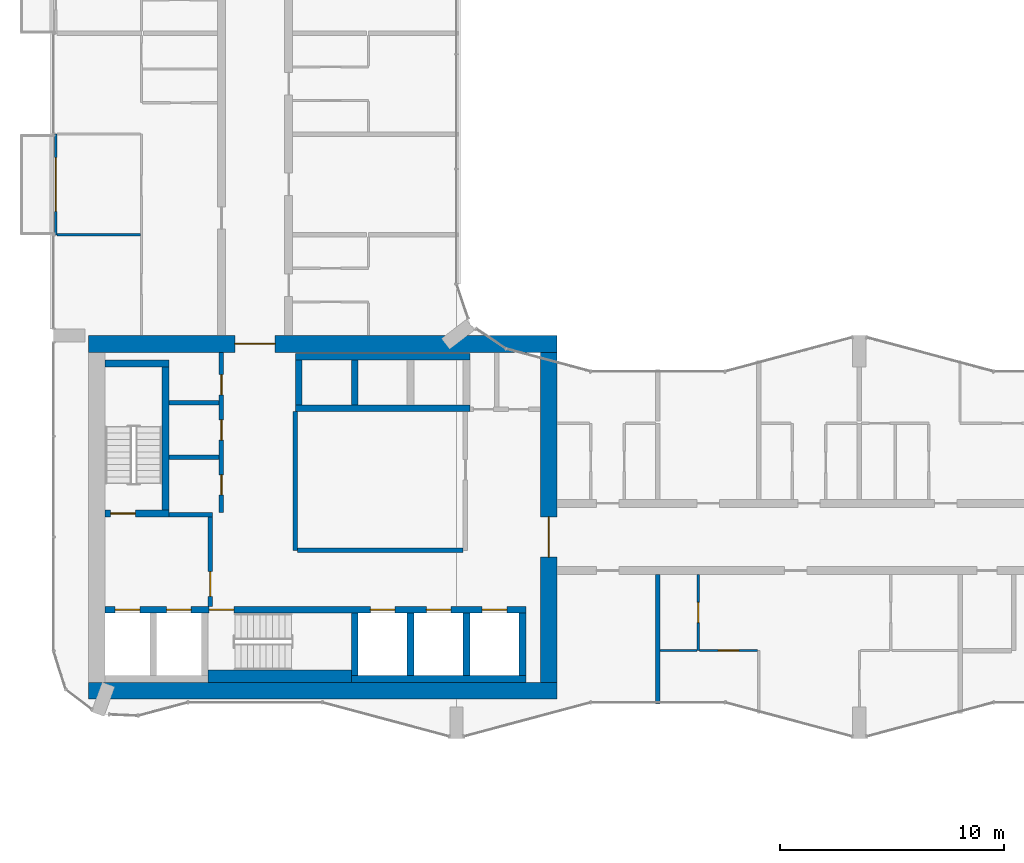
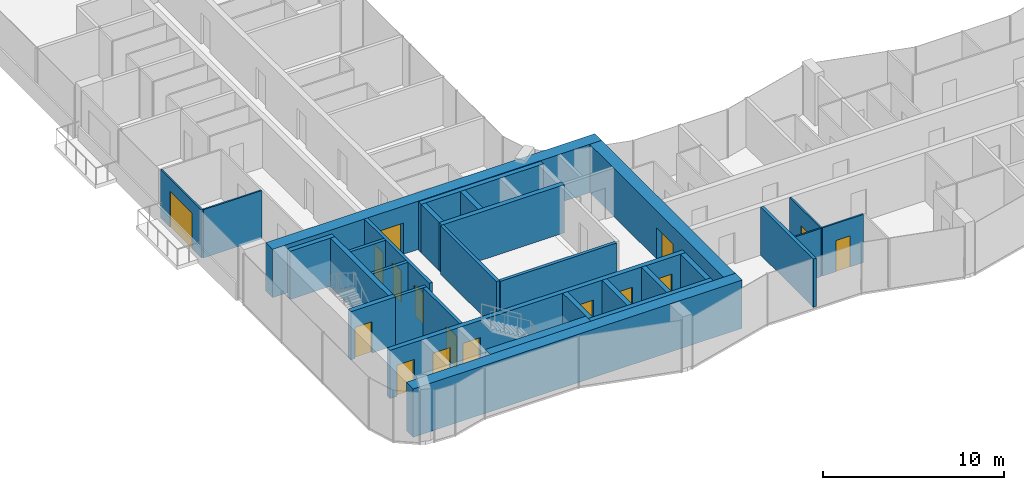
# One storey, part 14 of 24: 30 walls, 16 doors, 16 openings.
"""IFC4 building model written with IfcOpenShell, lengths in metres."""

import ifcopenshell
import ifcopenshell.guid

model = None  # the IFC model being written
_history = None  # IfcOwnerHistory: only IFC2X3 demands one
_inside = {}  # id of a spatial element -> (the spatial element, [elements in it])
_under = {}  # id of a project, library or spatial element -> (it, [spatial elements below it])
_declared = {}  # id of a project -> (the project, [libraries it declares])
_typed = {}  # id of a type object -> (the type object, [elements of that type])
_made_of = {}  # id of a material, layer set ... -> (it, [elements and type objects made of it])


def new_model(schema):
    """Start an empty IFC model of exactly this schema.

    Asked for "IFC4X3", IfcOpenShell would pick the latest addendum, in which some entities
    have other attributes; the version numbers below select the first issue.
    IFC2X3 requires an IfcOwnerHistory on every rooted entity: one is made here for all.
    """
    global model, _history
    if schema == "IFC4X3":
        model = ifcopenshell.file(schema_version=(4, 3, 0, 0))
    else:
        model = ifcopenshell.file(schema=schema)
    _inside.clear()
    _under.clear()
    _declared.clear()
    _typed.clear()
    _made_of.clear()
    _history = None
    if model.schema == "IFC2X3":
        org = make("IfcOrganization", Name="unknown")
        user = make(
            "IfcPersonAndOrganization",
            ThePerson=make("IfcPerson", FamilyName="unknown"),
            TheOrganization=org,
        )
        app = make(
            "IfcApplication",
            ApplicationDeveloper=org,
            Version="unknown",
            ApplicationFullName="unknown",
            ApplicationIdentifier="unknown",
        )
        _history = make(
            "IfcOwnerHistory",
            OwningUser=user,
            OwningApplication=app,
            ChangeAction="ADDED",
            CreationDate=0,
        )
    return model


def make(cls, **values):
    """One entity of the class cls with the attributes given. An attribute that is None is left unset."""
    return model.create_entity(
        cls, **{name: value for name, value in values.items() if value is not None}
    )


def rooted(cls, **values):
    """An entity with a GlobalId (a new one), such as an element, a storey or a relation."""
    return make(cls, GlobalId=ifcopenshell.guid.new(), OwnerHistory=_history, **values)


def si_unit(unit_type, name, prefix=None):
    """IfcSIUnit, for example si_unit("LENGTHUNIT", "METRE", prefix="MILLI")."""
    return make("IfcSIUnit", UnitType=unit_type, Prefix=prefix, Name=name)


def assignment(units):
    """IfcUnitAssignment: the units of a project."""
    return None if units is None else make("IfcUnitAssignment", Units=units)


def point(xyz):
    """IfcCartesianPoint."""
    return None if xyz is None else make("IfcCartesianPoint", Coordinates=xyz)


def direction(xyz):
    """IfcDirection."""
    return None if xyz is None else make("IfcDirection", DirectionRatios=xyz)


def frame(location, z_axis=None, x_axis=None):
    """IfcAxis2Placement3D, a coordinate frame: its origin and axes. An axis left out is left unset."""
    return make(
        "IfcAxis2Placement3D",
        Location=point(location),
        Axis=direction(z_axis),
        RefDirection=direction(x_axis),
    )


def frame_2d(location, x_axis=None):
    """IfcAxis2Placement2D, a coordinate frame in the plane: its origin and x axis."""
    return make(
        "IfcAxis2Placement2D", Location=point(location), RefDirection=direction(x_axis)
    )


def origin():
    """The frame at (0, 0, 0) with its axes left unset."""
    return frame((0.0, 0.0, 0.0))


def place(relative_to, where):
    """IfcLocalPlacement: puts the frame where relative to a parent placement (None: the world)."""
    return make(
        "IfcLocalPlacement", PlacementRelTo=relative_to, RelativePlacement=where
    )


def context(
    kind, dimensions, precision=None, world=None, true_north=None, identifier=None
):
    """IfcGeometricRepresentationContext, for example the 3D "Model" context."""
    return make(
        "IfcGeometricRepresentationContext",
        ContextIdentifier=identifier,
        ContextType=kind,
        CoordinateSpaceDimension=dimensions,
        Precision=precision,
        WorldCoordinateSystem=world,
        TrueNorth=true_north,
    )


def subcontext(parent, identifier, kind, view, scale=None):
    """IfcGeometricRepresentationSubContext, for example "Body" below "Model"."""
    return make(
        "IfcGeometricRepresentationSubContext",
        ContextIdentifier=identifier,
        ContextType=kind,
        ParentContext=parent,
        TargetScale=scale,
        TargetView=view,
    )


def project(units=None, contexts=None):
    """IfcProject with its units and contexts."""
    return rooted(
        "IfcProject",
        Name="project",
        RepresentationContexts=contexts,
        UnitsInContext=assignment(units),
    )


def spatial(cls, under=None, at=None, **own):
    """A site, building, storey or space (cls), placed at a placement, below another one or the project."""
    s = rooted(cls, ObjectPlacement=at, **own)
    if under is not None:
        _under.setdefault(under.id(), (under, []))[1].append(s)
    return s


def profile(cls, at=None, kind="AREA", **sizes):
    """A parametric profile (cls). Its sizes go by their IFC names, for example OverallWidth=200.0."""
    return make(cls, ProfileType=kind, Position=at, **sizes)


def rectangle(**sizes):
    """IfcRectangleProfileDef."""
    return profile("IfcRectangleProfileDef", **sizes)


def extrude(swept, where, along, depth):
    """IfcExtrudedAreaSolid: the profile swept, set in the frame where, extruded along a direction by depth."""
    return make(
        "IfcExtrudedAreaSolid",
        SweptArea=swept,
        Position=where,
        ExtrudedDirection=direction(along),
        Depth=depth,
    )


def shape(context_of_items, identifier, shape_type, items):
    """IfcShapeRepresentation: the items that make up one representation, for example the "Body"."""
    return make(
        "IfcShapeRepresentation",
        ContextOfItems=context_of_items,
        RepresentationIdentifier=identifier,
        RepresentationType=shape_type,
        Items=items,
    )


def material(Name=None, Category=None):
    """IfcMaterial."""
    return make("IfcMaterial", Name=Name, Category=Category)


def layer(
    of_material, thickness, ventilated=None, Name=None, Category=None, Priority=None
):
    """IfcMaterialLayer: one layer of a wall or slab, of a material (None: an air gap)."""
    return make(
        "IfcMaterialLayer",
        Material=of_material,
        LayerThickness=thickness,
        IsVentilated=ventilated,
        Name=Name,
        Category=Category,
        Priority=Priority,
    )


def layer_set(layers, Name=None):
    """IfcMaterialLayerSet."""
    return make("IfcMaterialLayerSet", MaterialLayers=layers, LayerSetName=Name)


def made_of(thing, what):
    """Note that an element or type object is made of a material, layer set ...; save() writes the relation."""
    if what is not None:
        _made_of.setdefault(what.id(), (what, []))[1].append(thing)
    return thing


def type_object(cls, material=None, **own):
    """A type object (cls), such as IfcWallType, which elements share."""
    return made_of(rooted(cls, **own), material)


def element(
    cls,
    number,
    at=None,
    inside=None,
    cuts=None,
    type_object=None,
    material=None,
    context=None,
    identifier="Body",
    shape_type=None,
    held_by="IfcProductDefinitionShape",
    body=None,
    shapes=None,
    **own,
):
    """One element of the class cls, such as IfcWall. Its Tag is "e" and its number.

    at: its placement. inside: the storey or other place that contains it. cuts: it is an
    opening in that element (IfcRelVoidsElement). A single representation is given by context,
    identifier, shape_type and body (its items); several are given by shapes. held_by: the class
    of the entity that holds the representations. save() writes the other relations.
    """
    e = rooted(cls, Tag="e%d" % number, ObjectPlacement=at, **own)
    if body is not None:
        shapes = [shape(context, identifier, shape_type, body)]
    if shapes is not None:
        e.Representation = make(held_by, Representations=shapes)
    if inside is not None:
        _inside.setdefault(inside.id(), (inside, []))[1].append(e)
    if cuts is not None:
        rooted(
            "IfcRelVoidsElement", RelatingBuildingElement=cuts, RelatedOpeningElement=e
        )
    if type_object is not None:
        _typed.setdefault(type_object.id(), (type_object, []))[1].append(e)
    return made_of(e, material)


def fill(opening, filler):
    """IfcRelFillsElement: the door or window that sits in an opening."""
    return rooted(
        "IfcRelFillsElement",
        RelatingOpeningElement=opening,
        RelatedBuildingElement=filler,
    )


def aggregate(whole, parts):
    """IfcRelAggregates: a whole, such as a stair, and the parts it consists of."""
    return rooted("IfcRelAggregates", RelatingObject=whole, RelatedObjects=parts)


def save(model, path):
    """Write the relations noted so far, then the file.

    IfcRelAggregates (storeys below a building ...), IfcRelContainedInSpatialStructure (elements
    in a storey), IfcRelDefinesByType, IfcRelAssociatesMaterial and IfcRelDeclares: one each for
    every whole, place, type object, material and project.
    """
    for whole, parts in _under.values():
        aggregate(whole, parts)
    for where, things in _inside.values():
        rooted(
            "IfcRelContainedInSpatialStructure",
            RelatedElements=things,
            RelatingStructure=where,
        )
    for kind, things in _typed.values():
        rooted("IfcRelDefinesByType", RelatedObjects=things, RelatingType=kind)
    for what, things in _made_of.values():
        rooted("IfcRelAssociatesMaterial", RelatedObjects=things, RelatingMaterial=what)
    for by, libraries in _declared.values():
        rooted("IfcRelDeclares", RelatingContext=by, RelatedDefinitions=libraries)
    model.write(path)


model = new_model("IFC4")

# Units and contexts
model_context = context("Model", 3, precision=1e-05, world=origin(), true_north=direction((0.0, 1.0)))
body_context = subcontext(model_context, "Body", "Model", "MODEL_VIEW")
ifc_project = project(units=[si_unit("LENGTHUNIT", "METRE"), si_unit("AREAUNIT", "SQUARE_METRE"), si_unit("VOLUMEUNIT", "CUBIC_METRE"), si_unit("PLANEANGLEUNIT", "RADIAN"), si_unit("MASSUNIT", "GRAM", prefix="KILO")], contexts=[model_context])

# Site, building, storey
site_placement = place(None, origin())
site = spatial("IfcSite", under=ifc_project, at=site_placement, CompositionType="ELEMENT")
building_placement = place(site_placement, origin())
building = spatial("IfcBuilding", under=site, at=building_placement, Name="Plateau Cross Towers", CompositionType="ELEMENT")
storey_placement = place(building_placement, frame((0.0, 0.0, 44.300048828125)))
storey = spatial("IfcBuildingStorey", under=building, at=storey_placement, Name="L10", CompositionType="ELEMENT", Elevation=44.300048828125)

# Wall, opening, door
ifc_material_1 = material(Name="Aluminium framed glazing", Category="aluminium")
ifc_layer_1 = layer(ifc_material_1, 0.10009765625)
ifc_layer_set_1 = layer_set([ifc_layer_1], Name="Aluminium framed glazing")
wall_type_1 = type_object("IfcWallType", Name="Balcony screen wall 100", PredefinedType="STANDARD", material=ifc_layer_set_1)
wall_1_placement = place(storey_placement, frame((0.10009765625, 22.5, 0.0), z_axis=(0.0, 0.0, 1.0), x_axis=(0.0, 1.0, 0.0)))
wall_1 = element("IfcWall", 1, at=wall_1_placement, inside=storey, type_object=wall_type_1, Name="Balcony screen wall A-BAL-L10-01", PredefinedType="STANDARD", context=body_context, shape_type="SweptSolid", body=[
    extrude(rectangle(XDim=4.5, YDim=0.10009765625, at=frame_2d((2.25, 0.0))), origin(), (0.0, 0.0, 1.0), 3.25),
])
opening_1_placement = place(wall_1_placement, frame((1.050048828125, 0.0, 0.0)))
opening_1 = element("IfcOpeningElement", 2, at=opening_1_placement, cuts=wall_1, Name="Opening D-B24", PredefinedType="OPENING", context=body_context, shape_type="SweptSolid", body=[
    extrude(rectangle(XDim=2.39990234375, YDim=2.39990234375, at=frame_2d((1.199951171875, 1.199951171875))), frame((0.0, 0.06005859375, 0.0), z_axis=(0.0, -1.0, 0.0), x_axis=(1.0, 0.0, 0.0)), (0.0, 0.0, 1.0), 0.1201171875),
])
ifc_material_2 = material(Name="Aluminium frame, double glazing", Category="aluminium")
door_type_1 = type_object("IfcDoorType", Name="Balcony sliding door 2400", OperationType="NOTDEFINED", PredefinedType="DOOR", material=ifc_material_2)
door_1_placement = place(opening_1_placement, origin())
door_1 = element("IfcDoor", 3, at=door_1_placement, inside=storey, type_object=door_type_1, Name="Balcony door A-BAL-L10-01", OperationType="SINGLE_SWING_LEFT", OverallHeight=2.39990234375, OverallWidth=2.39990234375, PredefinedType="DOOR", context=body_context, shape_type="SweptSolid", body=[
    extrude(rectangle(XDim=2.39990234375, YDim=2.39990234375, at=frame_2d((1.199951171875, 1.199951171875))), frame((0.0, 0.02490234375, 0.0), z_axis=(0.0, -1.0, 0.0), x_axis=(1.0, 0.0, 0.0)), (0.0, 0.0, 1.0), 0.050048828125),
])
fill(opening_1, door_1)

ifc_material_3 = material(Name="Concrete block, plastered both sides", Category="concrete")
ifc_layer_2 = layer(ifc_material_3, 0.199951171875)
ifc_layer_set_2 = layer_set([ifc_layer_2], Name="Concrete block, plastered both sides")
wall_type_2 = type_object("IfcWallType", Name="Core partition 200", PredefinedType="PARTITIONING", material=ifc_layer_set_2)
wall_2_placement = place(storey_placement, frame((7.0, 5.89990234375, 0.0), z_axis=(0.0, 0.0, 1.0), x_axis=(0.0, 1.0, 0.0)))
wall_2 = element("IfcWall", 4, at=wall_2_placement, inside=storey, type_object=wall_type_2, Name="Core partition", PredefinedType="PARTITIONING", context=body_context, shape_type="SweptSolid", body=[
    extrude(rectangle(XDim=4.0, YDim=0.199951171875, at=frame_2d((2.0, 0.0))), origin(), (0.0, 0.0, 1.0), 3.25),
])
opening_2_placement = place(wall_2_placement, frame((0.449951171875, 0.0, 0.0)))
opening_2 = element("IfcOpeningElement", 5, at=opening_2_placement, cuts=wall_2, Name="Opening FFD", PredefinedType="OPENING", context=body_context, shape_type="SweptSolid", body=[
    extrude(rectangle(XDim=1.10009765625, YDim=2.10009765625, at=frame_2d((0.550048828125, 1.050048828125))), frame((0.0, 0.10986328125, 0.0), z_axis=(0.0, -1.0, 0.0), x_axis=(1.0, 0.0, 0.0)), (0.0, 0.0, 1.0), 0.219970703125),
])
ifc_material_4 = material(Name="Steel, fire-resisting leaf", Category="steel")
door_type_2 = type_object("IfcDoorType", Name="Firefighting lobby door 1100", OperationType="NOTDEFINED", PredefinedType="DOOR", material=ifc_material_4)
door_2_placement = place(opening_2_placement, origin())
door_2 = element("IfcDoor", 6, at=door_2_placement, inside=storey, type_object=door_type_2, Name="Firefighting lobby door FFD", OperationType="SINGLE_SWING_LEFT", OverallHeight=2.10009765625, OverallWidth=1.10009765625, PredefinedType="DOOR", context=body_context, shape_type="SweptSolid", body=[
    extrude(rectangle(XDim=1.10009765625, YDim=2.10009765625, at=frame_2d((0.550048828125, 1.050048828125))), frame((0.0, 0.02490234375, 0.0), z_axis=(0.0, -1.0, 0.0), x_axis=(1.0, 0.0, 0.0)), (0.0, 0.0, 1.0), 0.050048828125),
])
fill(opening_2, door_2)

# Walls
wall_3_placement = place(storey_placement, frame((5.14990234375, 10.0, 0.0), z_axis=(0.0, 0.0, 1.0), x_axis=(1.0, 0.0, 0.0)))
element("IfcWall", 7, at=wall_3_placement, inside=storey, type_object=wall_type_2, Name="Core partition", PredefinedType="PARTITIONING", context=body_context, shape_type="SweptSolid", body=[
    extrude(rectangle(XDim=1.9501953125, YDim=0.199951171875, at=frame_2d((0.97509765625, 0.0))), origin(), (0.0, 0.0, 1.0), 3.25),
])
wall_4_placement = place(storey_placement, frame((10.800048828125, 8.39990234375, 0.0), z_axis=(0.0, 0.0, 1.0), x_axis=(0.0, 1.0, 0.0)))
element("IfcWall", 8, at=wall_4_placement, inside=storey, type_object=wall_type_2, Name="Core partition", PredefinedType="PARTITIONING", context=body_context, shape_type="SweptSolid", body=[
    extrude(rectangle(XDim=6.2001953125, YDim=0.199951171875, at=frame_2d((3.10009765625, 0.0))), origin(), (0.0, 0.0, 1.0), 3.25),
])
wall_5_placement = place(storey_placement, frame((10.89990234375, 8.39990234375, 0.0), z_axis=(0.0, 0.0, 1.0), x_axis=(1.0, 0.0, 0.0)))
element("IfcWall", 9, at=wall_5_placement, inside=storey, type_object=wall_type_2, Name="Core partition", PredefinedType="PARTITIONING", context=body_context, shape_type="SweptSolid", body=[
    extrude(rectangle(XDim=7.400146484375, YDim=0.199951171875, at=frame_2d((3.7001953125, 0.0))), origin(), (0.0, 0.0, 1.0), 3.25),
])

# Wall, openings, doors
wall_6_placement = place(storey_placement, frame((7.5, 10.10009765625, 0.0), z_axis=(0.0, 0.0, 1.0), x_axis=(0.0, 1.0, 0.0)))
wall_6 = element("IfcWall", 10, at=wall_6_placement, inside=storey, type_object=wall_type_2, Name="Core partition", PredefinedType="PARTITIONING", context=body_context, shape_type="SweptSolid", body=[
    extrude(rectangle(XDim=7.14990234375, YDim=0.199951171875, at=frame_2d((3.574951171875, 0.0))), origin(), (0.0, 0.0, 1.0), 3.25),
])
opening_3_placement = place(wall_6_placement, frame((0.77490234375, 0.0, 0.0)))
opening_3 = element("IfcOpeningElement", 11, at=opening_3_placement, cuts=wall_6, Name="Opening RD1", PredefinedType="OPENING", context=body_context, shape_type="SweptSolid", body=[
    extrude(rectangle(XDim=0.89990234375, YDim=2.10009765625, at=frame_2d((0.449951171875, 1.050048828125))), frame((0.0, 0.10986328125, 0.0), z_axis=(0.0, -1.0, 0.0), x_axis=(1.0, 0.0, 0.0)), (0.0, 0.0, 1.0), 0.219970703125),
])
opening_4_placement = place(wall_6_placement, frame((3.22509765625, 0.0, 0.0)))
opening_4 = element("IfcOpeningElement", 12, at=opening_4_placement, cuts=wall_6, Name="Opening RD1", PredefinedType="OPENING", context=body_context, shape_type="SweptSolid", body=[
    extrude(rectangle(XDim=0.89990234375, YDim=2.10009765625, at=frame_2d((0.449951171875, 1.050048828125))), frame((0.0, 0.10986328125, 0.0), z_axis=(0.0, -1.0, 0.0), x_axis=(1.0, 0.0, 0.0)), (0.0, 0.0, 1.0), 0.219970703125),
])
opening_5_placement = place(wall_6_placement, frame((5.25, 0.0, 0.0)))
opening_5 = element("IfcOpeningElement", 13, at=opening_5_placement, cuts=wall_6, Name="Opening RD1", PredefinedType="OPENING", context=body_context, shape_type="SweptSolid", body=[
    extrude(rectangle(XDim=0.89990234375, YDim=2.10009765625, at=frame_2d((0.449951171875, 1.050048828125))), frame((0.0, 0.10986328125, 0.0), z_axis=(0.0, -1.0, 0.0), x_axis=(1.0, 0.0, 0.0)), (0.0, 0.0, 1.0), 0.219970703125),
])
ifc_material_5 = material(Name="Timber, fire-resisting leaf", Category="wood")
door_type_3 = type_object("IfcDoorType", Name="Core service door 900", OperationType="NOTDEFINED", PredefinedType="DOOR", material=ifc_material_5)
door_3_placement = place(opening_3_placement, origin())
door_3 = element("IfcDoor", 14, at=door_3_placement, inside=storey, type_object=door_type_3, Name="Core service door RD1", OperationType="SINGLE_SWING_RIGHT", OverallHeight=2.10009765625, OverallWidth=0.89990234375, PredefinedType="DOOR", context=body_context, shape_type="SweptSolid", body=[
    extrude(rectangle(XDim=0.89990234375, YDim=2.10009765625, at=frame_2d((0.449951171875, 1.050048828125))), frame((0.0, 0.02490234375, 0.0), z_axis=(0.0, -1.0, 0.0), x_axis=(1.0, 0.0, 0.0)), (0.0, 0.0, 1.0), 0.050048828125),
])
fill(opening_3, door_3)
door_4_placement = place(opening_4_placement, origin())
door_4 = element("IfcDoor", 15, at=door_4_placement, inside=storey, type_object=door_type_3, Name="Core service door RD1", OperationType="SINGLE_SWING_RIGHT", OverallHeight=2.10009765625, OverallWidth=0.89990234375, PredefinedType="DOOR", context=body_context, shape_type="SweptSolid", body=[
    extrude(rectangle(XDim=0.89990234375, YDim=2.10009765625, at=frame_2d((0.449951171875, 1.050048828125))), frame((0.0, 0.02490234375, 0.0), z_axis=(0.0, -1.0, 0.0), x_axis=(1.0, 0.0, 0.0)), (0.0, 0.0, 1.0), 0.050048828125),
])
fill(opening_4, door_4)
door_5_placement = place(opening_5_placement, origin())
door_5 = element("IfcDoor", 16, at=door_5_placement, inside=storey, type_object=door_type_3, Name="Core service door RD1", OperationType="SINGLE_SWING_RIGHT", OverallHeight=2.10009765625, OverallWidth=0.89990234375, PredefinedType="DOOR", context=body_context, shape_type="SweptSolid", body=[
    extrude(rectangle(XDim=0.89990234375, YDim=2.10009765625, at=frame_2d((0.449951171875, 1.050048828125))), frame((0.0, 0.02490234375, 0.0), z_axis=(0.0, -1.0, 0.0), x_axis=(1.0, 0.0, 0.0)), (0.0, 0.0, 1.0), 0.050048828125),
])
fill(opening_5, door_5)

# Walls
for number, where, z_axis, x_axis, name in (
    (17, (5.14990234375, 12.550048828125, 0.0), (0.0, 0.0, 1.0), (1.0, 0.0, 0.0), "Core partition"),
    (18, (5.14990234375, 15.0, 0.0), (0.0, 0.0, 1.0), (1.0, 0.0, 0.0), "Core partition"),
):
    element("IfcWall", number, at=place(storey_placement, frame(where, z_axis=z_axis, x_axis=x_axis)), inside=storey, type_object=wall_type_2, Name=name, PredefinedType="PARTITIONING", context=body_context, shape_type="SweptSolid", body=[
        extrude(rectangle(XDim=2.25, YDim=0.199951171875, at=frame_2d((1.125, 0.0))), origin(), (0.0, 0.0, 1.0), 3.25),
    ])
ifc_material_6 = material(Name="Concrete C60/75", Category="concrete")
ifc_layer_3 = layer(ifc_material_6, 0.300048828125)
ifc_layer_set_3 = layer_set([ifc_layer_3], Name="Concrete C60/75")
wall_type_3 = type_object("IfcWallType", Name="Core shaft wall 300", PredefinedType="SHEAR", material=ifc_layer_set_3)
wall_7_placement = place(storey_placement, frame((13.300048828125, 2.64990234375, 0.0), z_axis=(0.0, 0.0, 1.0), x_axis=(1.0, 0.0, 0.0)))
element("IfcWall", 19, at=wall_7_placement, inside=storey, type_object=wall_type_3, Name="A-sb-back3@L10", PredefinedType="SHEAR", context=body_context, shape_type="SweptSolid", body=[
    extrude(rectangle(XDim=7.800048828125, YDim=0.300048828125, at=frame_2d((3.89990234375, 0.0))), origin(), (0.0, 0.0, 1.0), 3.25),
])
for number, where, z_axis, x_axis, name in (
    (20, (13.449951171875, 2.800048828125, 0.0), (0.0, 0.0, 1.0), (0.0, 1.0, 0.0), "A-sb-v3@L10"),
    (21, (15.949951171875, 2.800048828125, 0.0), (0.0, 0.0, 1.0), (0.0, 1.0, 0.0), "A-sb-v4@L10"),
    (22, (18.449951171875, 2.800048828125, 0.0), (0.0, 0.0, 1.0), (0.0, 1.0, 0.0), "A-sb-v5@L10"),
    (23, (20.949951171875, 2.800048828125, 0.0), (0.0, 0.0, 1.0), (0.0, 1.0, 0.0), "A-sb-v6@L10"),
):
    element("IfcWall", number, at=place(storey_placement, frame(where, z_axis=z_axis, x_axis=x_axis)), inside=storey, type_object=wall_type_3, Name=name, PredefinedType="SHEAR", context=body_context, shape_type="SweptSolid", body=[
        extrude(rectangle(XDim=2.800048828125, YDim=0.300048828125, at=frame_2d((1.39990234375, 0.0))), origin(), (0.0, 0.0, 1.0), 3.25),
    ])

# Wall, openings, doors
wall_8_placement = place(storey_placement, frame((2.300048828125, 5.75, 0.0), z_axis=(0.0, 0.0, 1.0), x_axis=(1.0, 0.0, 0.0)))
wall_8 = element("IfcWall", 24, at=wall_8_placement, inside=storey, type_object=wall_type_3, Name="A-sb-front@L10", PredefinedType="SHEAR", context=body_context, shape_type="SweptSolid", body=[
    extrude(rectangle(XDim=18.800048828125, YDim=0.300048828125, at=frame_2d((9.39990234375, 0.0))), origin(), (0.0, 0.0, 1.0), 3.25),
])
opening_6_placement = place(wall_8_placement, frame((4.64990234375, 0.0, 0.0)))
opening_6 = element("IfcOpeningElement", 25, at=opening_6_placement, cuts=wall_8, Name="Opening SD", PredefinedType="OPENING", context=body_context, shape_type="SweptSolid", body=[
    extrude(rectangle(XDim=1.10009765625, YDim=2.10009765625, at=frame_2d((0.550048828125, 1.050048828125))), frame((0.0, 0.159912109375, 0.0), z_axis=(0.0, -1.0, 0.0), x_axis=(1.0, 0.0, 0.0)), (0.0, 0.0, 1.0), 0.320068359375),
])
opening_7_placement = place(wall_8_placement, frame((0.449951171875, 0.0, 0.0)))
opening_7 = element("IfcOpeningElement", 26, at=opening_7_placement, cuts=wall_8, Name="Opening LD", PredefinedType="OPENING", context=body_context, shape_type="SweptSolid", body=[
    extrude(rectangle(XDim=1.10009765625, YDim=2.10009765625, at=frame_2d((0.550048828125, 1.050048828125))), frame((0.0, 0.159912109375, 0.0), z_axis=(0.0, -1.0, 0.0), x_axis=(1.0, 0.0, 0.0)), (0.0, 0.0, 1.0), 0.320068359375),
])
opening_8_placement = place(wall_8_placement, frame((2.75, 0.0, 0.0)))
opening_8 = element("IfcOpeningElement", 27, at=opening_8_placement, cuts=wall_8, Name="Opening LD", PredefinedType="OPENING", context=body_context, shape_type="SweptSolid", body=[
    extrude(rectangle(XDim=1.10009765625, YDim=2.10009765625, at=frame_2d((0.550048828125, 1.050048828125))), frame((0.0, 0.159912109375, 0.0), z_axis=(0.0, -1.0, 0.0), x_axis=(1.0, 0.0, 0.0)), (0.0, 0.0, 1.0), 0.320068359375),
])
opening_9_placement = place(wall_8_placement, frame((11.85009765625, 0.0, 0.0)))
opening_9 = element("IfcOpeningElement", 28, at=opening_9_placement, cuts=wall_8, Name="Opening LD", PredefinedType="OPENING", context=body_context, shape_type="SweptSolid", body=[
    extrude(rectangle(XDim=1.10009765625, YDim=2.10009765625, at=frame_2d((0.550048828125, 1.050048828125))), frame((0.0, 0.159912109375, 0.0), z_axis=(0.0, -1.0, 0.0), x_axis=(1.0, 0.0, 0.0)), (0.0, 0.0, 1.0), 0.320068359375),
])
opening_10_placement = place(wall_8_placement, frame((14.35009765625, 0.0, 0.0)))
opening_10 = element("IfcOpeningElement", 29, at=opening_10_placement, cuts=wall_8, Name="Opening LD", PredefinedType="OPENING", context=body_context, shape_type="SweptSolid", body=[
    extrude(rectangle(XDim=1.10009765625, YDim=2.10009765625, at=frame_2d((0.550048828125, 1.050048828125))), frame((0.0, 0.159912109375, 0.0), z_axis=(0.0, -1.0, 0.0), x_axis=(1.0, 0.0, 0.0)), (0.0, 0.0, 1.0), 0.320068359375),
])
opening_11_placement = place(wall_8_placement, frame((16.85009765625, 0.0, 0.0)))
opening_11 = element("IfcOpeningElement", 30, at=opening_11_placement, cuts=wall_8, Name="Opening LD", PredefinedType="OPENING", context=body_context, shape_type="SweptSolid", body=[
    extrude(rectangle(XDim=1.10009765625, YDim=2.10009765625, at=frame_2d((0.550048828125, 1.050048828125))), frame((0.0, 0.159912109375, 0.0), z_axis=(0.0, -1.0, 0.0), x_axis=(1.0, 0.0, 0.0)), (0.0, 0.0, 1.0), 0.320068359375),
])
ifc_material_7 = material(Name="Stainless steel, fire-resisting sliding leaves", Category="steel")
door_type_4 = type_object("IfcDoorType", Name="Lift landing door 1100", OperationType="NOTDEFINED", PredefinedType="DOOR", material=ifc_material_7)
door_6_placement = place(opening_7_placement, origin())
door_6 = element("IfcDoor", 31, at=door_6_placement, inside=storey, type_object=door_type_4, Name="Lift landing door LD", OperationType="DOUBLE_DOOR_SLIDING", OverallHeight=2.10009765625, OverallWidth=1.10009765625, PredefinedType="DOOR", context=body_context, shape_type="SweptSolid", body=[
    extrude(rectangle(XDim=1.10009765625, YDim=2.10009765625, at=frame_2d((0.550048828125, 1.050048828125))), frame((0.0, 0.02490234375, 0.0), z_axis=(0.0, -1.0, 0.0), x_axis=(1.0, 0.0, 0.0)), (0.0, 0.0, 1.0), 0.050048828125),
])
fill(opening_7, door_6)
door_7_placement = place(opening_8_placement, origin())
door_7 = element("IfcDoor", 32, at=door_7_placement, inside=storey, type_object=door_type_4, Name="Lift landing door LD", OperationType="DOUBLE_DOOR_SLIDING", OverallHeight=2.10009765625, OverallWidth=1.10009765625, PredefinedType="DOOR", context=body_context, shape_type="SweptSolid", body=[
    extrude(rectangle(XDim=1.10009765625, YDim=2.10009765625, at=frame_2d((0.550048828125, 1.050048828125))), frame((0.0, 0.02490234375, 0.0), z_axis=(0.0, -1.0, 0.0), x_axis=(1.0, 0.0, 0.0)), (0.0, 0.0, 1.0), 0.050048828125),
])
fill(opening_8, door_7)
door_8_placement = place(opening_9_placement, origin())
door_8 = element("IfcDoor", 33, at=door_8_placement, inside=storey, type_object=door_type_4, Name="Lift landing door LD", OperationType="DOUBLE_DOOR_SLIDING", OverallHeight=2.10009765625, OverallWidth=1.10009765625, PredefinedType="DOOR", context=body_context, shape_type="SweptSolid", body=[
    extrude(rectangle(XDim=1.10009765625, YDim=2.10009765625, at=frame_2d((0.550048828125, 1.050048828125))), frame((0.0, 0.02490234375, 0.0), z_axis=(0.0, -1.0, 0.0), x_axis=(1.0, 0.0, 0.0)), (0.0, 0.0, 1.0), 0.050048828125),
])
fill(opening_9, door_8)
door_9_placement = place(opening_10_placement, origin())
door_9 = element("IfcDoor", 34, at=door_9_placement, inside=storey, type_object=door_type_4, Name="Lift landing door LD", OperationType="DOUBLE_DOOR_SLIDING", OverallHeight=2.10009765625, OverallWidth=1.10009765625, PredefinedType="DOOR", context=body_context, shape_type="SweptSolid", body=[
    extrude(rectangle(XDim=1.10009765625, YDim=2.10009765625, at=frame_2d((0.550048828125, 1.050048828125))), frame((0.0, 0.02490234375, 0.0), z_axis=(0.0, -1.0, 0.0), x_axis=(1.0, 0.0, 0.0)), (0.0, 0.0, 1.0), 0.050048828125),
])
fill(opening_10, door_9)
door_10_placement = place(opening_11_placement, origin())
door_10 = element("IfcDoor", 35, at=door_10_placement, inside=storey, type_object=door_type_4, Name="Lift landing door LD", OperationType="DOUBLE_DOOR_SLIDING", OverallHeight=2.10009765625, OverallWidth=1.10009765625, PredefinedType="DOOR", context=body_context, shape_type="SweptSolid", body=[
    extrude(rectangle(XDim=1.10009765625, YDim=2.10009765625, at=frame_2d((0.550048828125, 1.050048828125))), frame((0.0, 0.02490234375, 0.0), z_axis=(0.0, -1.0, 0.0), x_axis=(1.0, 0.0, 0.0)), (0.0, 0.0, 1.0), 0.050048828125),
])
fill(opening_11, door_10)
door_type_5 = type_object("IfcDoorType", Name="Stair door 1100", OperationType="NOTDEFINED", PredefinedType="DOOR", material=ifc_material_4)
door_11_placement = place(opening_6_placement, origin())
door_11 = element("IfcDoor", 36, at=door_11_placement, inside=storey, type_object=door_type_5, Name="Stair door SD", OperationType="SINGLE_SWING_LEFT", OverallHeight=2.10009765625, OverallWidth=1.10009765625, PredefinedType="DOOR", context=body_context, shape_type="SweptSolid", body=[
    extrude(rectangle(XDim=1.10009765625, YDim=2.10009765625, at=frame_2d((0.550048828125, 1.050048828125))), frame((0.0, 0.02490234375, 0.0), z_axis=(0.0, -1.0, 0.0), x_axis=(1.0, 0.0, 0.0)), (0.0, 0.0, 1.0), 0.050048828125),
])
fill(opening_6, door_11)

# Wall, opening, door
wall_9_placement = place(storey_placement, frame((2.300048828125, 10.050048828125, 0.0), z_axis=(0.0, 0.0, 1.0), x_axis=(1.0, 0.0, 0.0)))
wall_9 = element("IfcWall", 37, at=wall_9_placement, inside=storey, type_object=wall_type_3, Name="A-st1-S@L10", PredefinedType="SHEAR", context=body_context, shape_type="SweptSolid", body=[
    extrude(rectangle(XDim=2.849853515625, YDim=0.300048828125, at=frame_2d((1.4248046875, 0.0))), origin(), (0.0, 0.0, 1.0), 3.25),
])
opening_12_placement = place(wall_9_placement, frame((0.25, 0.0, 0.0)))
opening_12 = element("IfcOpeningElement", 38, at=opening_12_placement, cuts=wall_9, Name="Opening SD", PredefinedType="OPENING", context=body_context, shape_type="SweptSolid", body=[
    extrude(rectangle(XDim=1.10009765625, YDim=2.10009765625, at=frame_2d((0.550048828125, 1.050048828125))), frame((0.0, 0.159912109375, 0.0), z_axis=(0.0, -1.0, 0.0), x_axis=(1.0, 0.0, 0.0)), (0.0, 0.0, 1.0), 0.320068359375),
])
door_12_placement = place(opening_12_placement, origin())
door_12 = element("IfcDoor", 39, at=door_12_placement, inside=storey, type_object=door_type_5, Name="Stair door SD", OperationType="SINGLE_SWING_RIGHT", OverallHeight=2.10009765625, OverallWidth=1.10009765625, PredefinedType="DOOR", context=body_context, shape_type="SweptSolid", body=[
    extrude(rectangle(XDim=1.10009765625, YDim=2.10009765625, at=frame_2d((0.550048828125, 1.050048828125))), frame((0.0, 0.02490234375, 0.0), z_axis=(0.0, -1.0, 0.0), x_axis=(1.0, 0.0, 0.0)), (0.0, 0.0, 1.0), 0.050048828125),
])
fill(opening_12, door_12)

# Walls
wall_10_placement = place(storey_placement, frame((5.0, 10.199951171875, 0.0), z_axis=(0.0, 0.0, 1.0), x_axis=(0.0, 1.0, 0.0)))
element("IfcWall", 40, at=wall_10_placement, inside=storey, type_object=wall_type_3, Name="A-st1-E@L10", PredefinedType="SHEAR", context=body_context, shape_type="SweptSolid", body=[
    extrude(rectangle(XDim=6.400146484375, YDim=0.300048828125, at=frame_2d((3.2001953125, 0.0))), origin(), (0.0, 0.0, 1.0), 3.25),
])
wall_11_placement = place(storey_placement, frame((2.300048828125, 16.75, 0.0), z_axis=(0.0, 0.0, 1.0), x_axis=(1.0, 0.0, 0.0)))
element("IfcWall", 41, at=wall_11_placement, inside=storey, type_object=wall_type_3, Name="A-st1-N@L10", PredefinedType="SHEAR", context=body_context, shape_type="SweptSolid", body=[
    extrude(rectangle(XDim=2.849853515625, YDim=0.300048828125, at=frame_2d((1.4248046875, 0.0))), origin(), (0.0, 0.0, 1.0), 3.25),
])
for number, where, z_axis, x_axis, name in (
    (42, (10.800048828125, 17.050048828125, 0.0), (0.0, 0.0, 1.0), (1.0, 0.0, 0.0), "A-nb-back@L10"),
    (43, (10.800048828125, 14.75, 0.0), (0.0, 0.0, 1.0), (1.0, 0.0, 0.0), "A-nb-front@L10"),
):
    element("IfcWall", number, at=place(storey_placement, frame(where, z_axis=z_axis, x_axis=x_axis)), inside=storey, type_object=wall_type_3, Name=name, PredefinedType="SHEAR", context=body_context, shape_type="SweptSolid", body=[
        extrude(rectangle(XDim=7.800048828125, YDim=0.300048828125, at=frame_2d((3.89990234375, 0.0))), origin(), (0.0, 0.0, 1.0), 3.25),
    ])
for number, where, z_axis, x_axis, name in (
    (44, (10.949951171875, 14.89990234375, 0.0), (0.0, 0.0, 1.0), (0.0, 1.0, 0.0), "A-nb-v1@L10"),
    (45, (13.449951171875, 14.89990234375, 0.0), (0.0, 0.0, 1.0), (0.0, 1.0, 0.0), "A-nb-v2@L10"),
):
    element("IfcWall", number, at=place(storey_placement, frame(where, z_axis=z_axis, x_axis=x_axis)), inside=storey, type_object=wall_type_3, Name=name, PredefinedType="SHEAR", context=body_context, shape_type="SweptSolid", body=[
        extrude(rectangle(XDim=2.0, YDim=0.300048828125, at=frame_2d((1.0, 0.0))), origin(), (0.0, 0.0, 1.0), 3.25),
    ])
ifc_layer_4 = layer(ifc_material_6, 0.550048828125)
ifc_layer_set_4 = layer_set([ifc_layer_4], Name="Concrete C60/75")
wall_type_4 = type_object("IfcWallType", Name="Core shaft wall 550", PredefinedType="SHEAR", material=ifc_layer_set_4)
wall_12_placement = place(storey_placement, frame((6.89990234375, 2.77490234375, 0.0), z_axis=(0.0, 0.0, 1.0), x_axis=(1.0, 0.0, 0.0)))
element("IfcWall", 46, at=wall_12_placement, inside=storey, type_object=wall_type_4, Name="A-sb-back2@L10", PredefinedType="SHEAR", context=body_context, shape_type="SweptSolid", body=[
    extrude(rectangle(XDim=6.400146484375, YDim=0.550048828125, at=frame_2d((3.2001953125, 0.0))), origin(), (0.0, 0.0, 1.0), 3.25),
])
ifc_layer_5 = layer(ifc_material_6, 0.75)
ifc_layer_set_5 = layer_set([ifc_layer_5], Name="Concrete C60/75")
wall_type_5 = type_object("IfcWallType", Name="Core shell wall 750", PredefinedType="SHEAR", material=ifc_layer_set_5)
wall_13_placement = place(storey_placement, frame((1.550048828125, 2.125, 0.0), z_axis=(0.0, 0.0, 1.0), x_axis=(1.0, 0.0, 0.0)))
element("IfcWall", 47, at=wall_13_placement, inside=storey, type_object=wall_type_5, Name="A-core-S@L10", PredefinedType="SHEAR", context=body_context, shape_type="SweptSolid", body=[
    extrude(rectangle(XDim=20.949951171875, YDim=0.75, at=frame_2d((10.47509765625, 0.0))), origin(), (0.0, 0.0, 1.0), 3.25),
])

# Wall, opening, door
wall_14_placement = place(storey_placement, frame((1.550048828125, 17.625, 0.0), z_axis=(0.0, 0.0, 1.0), x_axis=(1.0, 0.0, 0.0)))
wall_14 = element("IfcWall", 48, at=wall_14_placement, inside=storey, type_object=wall_type_5, Name="A-core-N@L10", PredefinedType="SHEAR", context=body_context, shape_type="SweptSolid", body=[
    extrude(rectangle(XDim=20.949951171875, YDim=0.75, at=frame_2d((10.47509765625, 0.0))), origin(), (0.0, 0.0, 1.0), 3.25),
])
opening_13_placement = place(wall_14_placement, frame((6.550048828125, 0.0, 0.0)))
opening_13 = element("IfcOpeningElement", 49, at=opening_13_placement, cuts=wall_14, Name="Opening CD", PredefinedType="OPENING", context=body_context, shape_type="SweptSolid", body=[
    extrude(rectangle(XDim=1.800048828125, YDim=2.10009765625, at=frame_2d((0.89990234375, 1.050048828125))), frame((0.0, 0.385009765625, 0.0), z_axis=(0.0, -1.0, 0.0), x_axis=(1.0, 0.0, 0.0)), (0.0, 0.0, 1.0), 0.77001953125),
])
ifc_material_8 = material(Name="Steel, fire-resisting leaves", Category="steel")
door_type_6 = type_object("IfcDoorType", Name="Corridor door pair 1800", OperationType="NOTDEFINED", PredefinedType="DOOR", material=ifc_material_8)
door_13_placement = place(opening_13_placement, origin())
door_13 = element("IfcDoor", 50, at=door_13_placement, inside=storey, type_object=door_type_6, Name="Corridor door pair CD", OperationType="DOUBLE_DOOR_SINGLE_SWING", OverallHeight=2.10009765625, OverallWidth=1.800048828125, PredefinedType="DOOR", context=body_context, shape_type="SweptSolid", body=[
    extrude(rectangle(XDim=1.800048828125, YDim=2.10009765625, at=frame_2d((0.89990234375, 1.050048828125))), frame((0.0, 0.02490234375, 0.0), z_axis=(0.0, -1.0, 0.0), x_axis=(1.0, 0.0, 0.0)), (0.0, 0.0, 1.0), 0.050048828125),
])
fill(opening_13, door_13)

wall_15_placement = place(storey_placement, frame((22.125, 2.5, 0.0), z_axis=(0.0, 0.0, 1.0), x_axis=(0.0, 1.0, 0.0)))
wall_15 = element("IfcWall", 51, at=wall_15_placement, inside=storey, type_object=wall_type_5, Name="A-core-E@L10", PredefinedType="SHEAR", context=body_context, shape_type="SweptSolid", body=[
    extrude(rectangle(XDim=14.75, YDim=0.75, at=frame_2d((7.375, 0.0))), origin(), (0.0, 0.0, 1.0), 3.25),
])
opening_14_placement = place(wall_15_placement, frame((5.60009765625, 0.0, 0.0)))
opening_14 = element("IfcOpeningElement", 52, at=opening_14_placement, cuts=wall_15, Name="Opening CD", PredefinedType="OPENING", context=body_context, shape_type="SweptSolid", body=[
    extrude(rectangle(XDim=1.800048828125, YDim=2.10009765625, at=frame_2d((0.89990234375, 1.050048828125))), frame((0.0, 0.385009765625, 0.0), z_axis=(0.0, -1.0, 0.0), x_axis=(1.0, 0.0, 0.0)), (0.0, 0.0, 1.0), 0.77001953125),
])
door_14_placement = place(opening_14_placement, origin())
door_14 = element("IfcDoor", 53, at=door_14_placement, inside=storey, type_object=door_type_6, Name="Corridor door pair CD", OperationType="DOUBLE_DOOR_SINGLE_SWING", OverallHeight=2.10009765625, OverallWidth=1.800048828125, PredefinedType="DOOR", context=body_context, shape_type="SweptSolid", body=[
    extrude(rectangle(XDim=1.800048828125, YDim=2.10009765625, at=frame_2d((0.89990234375, 1.050048828125))), frame((0.0, 0.02490234375, 0.0), z_axis=(0.0, -1.0, 0.0), x_axis=(1.0, 0.0, 0.0)), (0.0, 0.0, 1.0), 0.050048828125),
])
fill(opening_14, door_14)

ifc_material_9 = material(Name="Gypsum board on steel studs", Category="steel")
ifc_layer_6 = layer(ifc_material_9, 0.10009765625)
ifc_layer_set_6 = layer_set([ifc_layer_6], Name="Gypsum board on steel studs")
wall_type_6 = type_object("IfcWallType", Name="Flat partition 100", PredefinedType="PARTITIONING", material=ifc_layer_set_6)
wall_16_placement = place(storey_placement, frame((31.449951171875, 3.925048828125, 0.0), z_axis=(0.0, 0.0, 1.0), x_axis=(-1.0, 0.0, 0.0)))
wall_16 = element("IfcWall", 54, at=wall_16_placement, inside=storey, type_object=wall_type_6, Name="Partition wall", PredefinedType="PARTITIONING", context=body_context, shape_type="SweptSolid", body=[
    extrude(rectangle(XDim=2.599853515625, YDim=0.10009765625, at=frame_2d((1.2998046875, 0.0))), origin(), (0.0, 0.0, 1.0), 3.25),
])
opening_15_placement = place(wall_16_placement, frame((0.85009765625, 0.0, 0.0)))
opening_15 = element("IfcOpeningElement", 55, at=opening_15_placement, cuts=wall_16, Name="Opening 10-21", PredefinedType="OPENING", context=body_context, shape_type="SweptSolid", body=[
    extrude(rectangle(XDim=0.89990234375, YDim=2.10009765625, at=frame_2d((0.449951171875, 1.050048828125))), frame((0.0, 0.06005859375, 0.0), z_axis=(0.0, -1.0, 0.0), x_axis=(1.0, 0.0, 0.0)), (0.0, 0.0, 1.0), 0.1201171875),
])
ifc_material_10 = material(Name="Timber leaf", Category="wood")
door_type_7 = type_object("IfcDoorType", Name="Flat room door 900", OperationType="NOTDEFINED", PredefinedType="DOOR", material=ifc_material_10)
door_15_placement = place(opening_15_placement, origin())
door_15 = element("IfcDoor", 56, at=door_15_placement, inside=storey, type_object=door_type_7, Name="Door 10-21", OperationType="SINGLE_SWING_RIGHT", OverallHeight=2.10009765625, OverallWidth=0.89990234375, PredefinedType="DOOR", context=body_context, shape_type="SweptSolid", body=[
    extrude(rectangle(XDim=0.89990234375, YDim=2.10009765625, at=frame_2d((0.449951171875, 1.050048828125))), frame((0.0, 0.02490234375, 0.0), z_axis=(0.0, -1.0, 0.0), x_axis=(1.0, 0.0, 0.0)), (0.0, 0.0, 1.0), 0.050048828125),
])
fill(opening_15, door_15)

# Walls
wall_17_placement = place(storey_placement, frame((27.10009765625, 3.925048828125, 0.0), z_axis=(0.0, 0.0, 1.0), x_axis=(1.0, 0.0, 0.0)))
element("IfcWall", 57, at=wall_17_placement, inside=storey, type_object=wall_type_6, Name="Partition wall", PredefinedType="PARTITIONING", context=body_context, shape_type="SweptSolid", body=[
    extrude(rectangle(XDim=1.64990234375, YDim=0.10009765625, at=frame_2d((0.824951171875, 0.0))), origin(), (0.0, 0.0, 1.0), 3.25),
])
wall_18_placement = place(storey_placement, frame((3.875, 22.5, 0.0), z_axis=(0.0, 0.0, 1.0), x_axis=(-1.0, 0.0, 0.0)))
element("IfcWall", 58, at=wall_18_placement, inside=storey, type_object=wall_type_6, Name="Partition wall", PredefinedType="PARTITIONING", context=body_context, shape_type="SweptSolid", body=[
    extrude(rectangle(XDim=3.72509765625, YDim=0.10009765625, at=frame_2d((1.862548828125, 0.0))), origin(), (0.0, 0.0, 1.0), 3.25),
])

# Wall, opening, door
wall_19_placement = place(storey_placement, frame((28.800048828125, 3.925048828125, 0.0), z_axis=(0.0, 0.0, 1.0), x_axis=(0.0, 1.0, 0.0)))
wall_19 = element("IfcWall", 59, at=wall_19_placement, inside=storey, type_object=wall_type_6, Name="Partition wall", PredefinedType="PARTITIONING", context=body_context, shape_type="SweptSolid", body=[
    extrude(rectangle(XDim=3.39990234375, YDim=0.10009765625, at=frame_2d((1.699951171875, 0.0))), origin(), (0.0, 0.0, 1.0), 3.25),
])
opening_16_placement = place(wall_19_placement, frame((1.25, 0.0, 0.0)))
opening_16 = element("IfcOpeningElement", 60, at=opening_16_placement, cuts=wall_19, Name="Opening 10-19", PredefinedType="OPENING", context=body_context, shape_type="SweptSolid", body=[
    extrude(rectangle(XDim=0.89990234375, YDim=2.10009765625, at=frame_2d((0.449951171875, 1.050048828125))), frame((0.0, 0.06005859375, 0.0), z_axis=(0.0, -1.0, 0.0), x_axis=(1.0, 0.0, 0.0)), (0.0, 0.0, 1.0), 0.1201171875),
])
door_16_placement = place(opening_16_placement, origin())
door_16 = element("IfcDoor", 61, at=door_16_placement, inside=storey, type_object=door_type_7, Name="Door 10-19", OperationType="SINGLE_SWING_LEFT", OverallHeight=2.10009765625, OverallWidth=0.89990234375, PredefinedType="DOOR", context=body_context, shape_type="SweptSolid", body=[
    extrude(rectangle(XDim=0.89990234375, YDim=2.10009765625, at=frame_2d((0.449951171875, 1.050048828125))), frame((0.0, 0.02490234375, 0.0), z_axis=(0.0, -1.0, 0.0), x_axis=(1.0, 0.0, 0.0)), (0.0, 0.0, 1.0), 0.050048828125),
])
fill(opening_16, door_16)

# Wall
ifc_material_11 = material(Name="Gypsum board on steel studs, two layers each side", Category="steel")
ifc_layer_7 = layer(ifc_material_11, 0.199951171875)
ifc_layer_set_7 = layer_set([ifc_layer_7], Name="Gypsum board on steel studs, two layers each side")
wall_type_7 = type_object("IfcWallType", Name="Flat party wall 200", PredefinedType="PARTITIONING", material=ifc_layer_set_7)
wall_20_placement = place(storey_placement, frame((27.0, 1.52685546875, 0.0), z_axis=(0.0, 0.0, 1.0), x_axis=(0.0, 1.0, 0.0)))
element("IfcWall", 62, at=wall_20_placement, inside=storey, type_object=wall_type_7, Name="Party wall", PredefinedType="PARTITIONING", context=body_context, shape_type="SweptSolid", body=[
    extrude(rectangle(XDim=5.798095703125, YDim=0.199951171875, at=frame_2d((2.89892578125, 0.0))), origin(), (0.0, 0.0, 1.0), 3.25),
])

save(model, "model.ifc")
